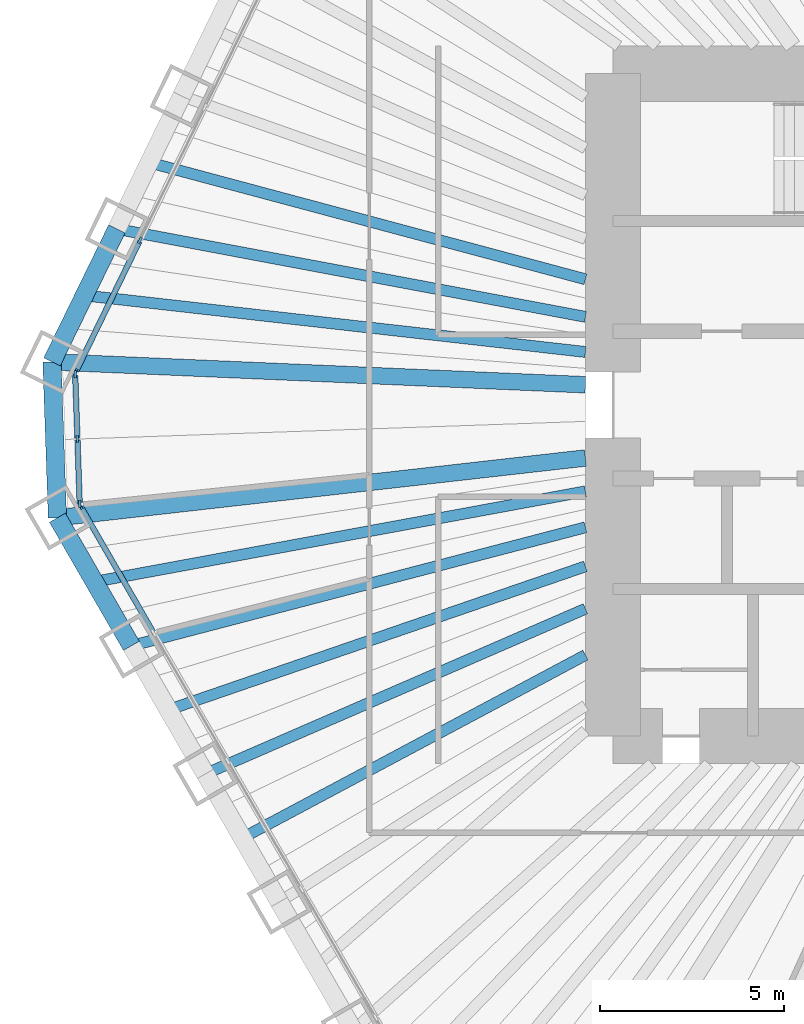
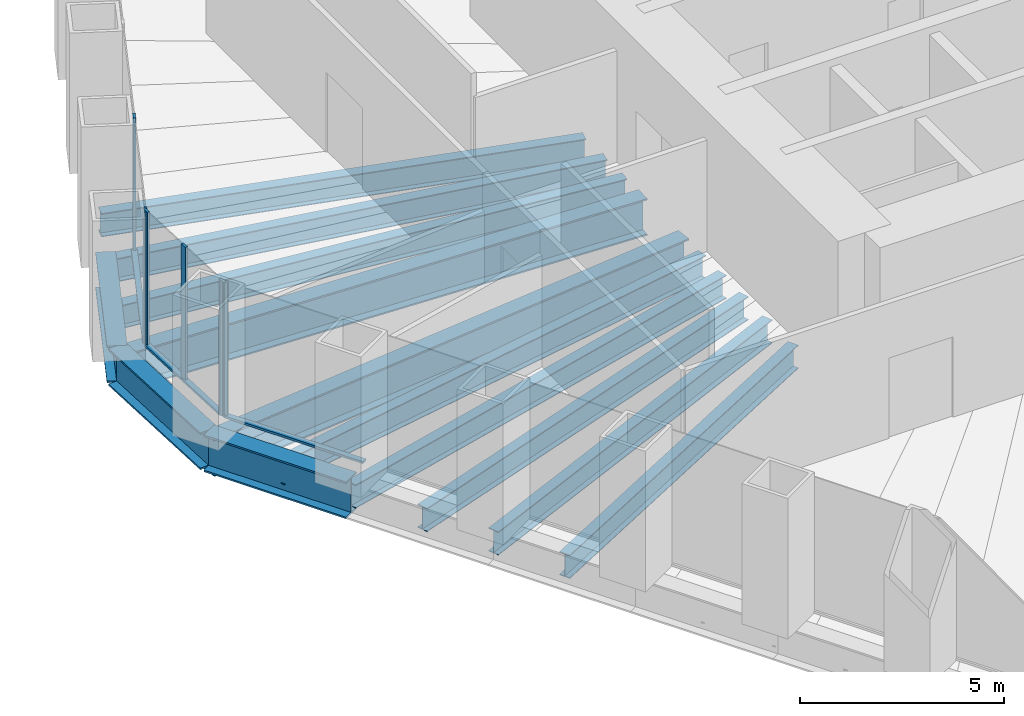
# One storey, part 3 of 13: 13 beams, 10 members, 3 elements without a shape of their own.
"""IFC4 building model written with IfcOpenShell, lengths in metres."""

from ifc_helpers import new_model, si_unit, direction, frame, origin, origin_2d, place, context, subcontext, project, spatial, rectangle, i_section, extrude, material, material_profile, profile_set, type_object, element, aggregate, save


model = new_model("IFC4")

# Units and contexts
model_context = context("Model", 3, precision=1e-05, world=origin(), true_north=direction((0.0, 1.0)))
body_context = subcontext(model_context, "Body", "Model", "MODEL_VIEW")
ifc_project = project(units=[si_unit("LENGTHUNIT", "METRE"), si_unit("AREAUNIT", "SQUARE_METRE"), si_unit("VOLUMEUNIT", "CUBIC_METRE"), si_unit("PLANEANGLEUNIT", "RADIAN"), si_unit("MASSUNIT", "GRAM", prefix="KILO")], contexts=[model_context])

# Site, building, storey
site_placement = place(None, origin())
site = spatial("IfcSite", under=ifc_project, at=site_placement, CompositionType="ELEMENT")
building_placement = place(site_placement, origin())
building = spatial("IfcBuilding", under=site, at=building_placement, Name="Qingtian Harvest Tower", CompositionType="ELEMENT")
storey_placement = place(building_placement, frame((0.0, 0.0, 119.800048828125)))
storey = spatial("IfcBuildingStorey", under=building, at=storey_placement, Name="L24", CompositionType="ELEMENT", Elevation=119.800048828125)

# Beams
ifc_material_1 = material(Name="Steel SM570MC", Category="steel")
ifc_material_profile_1 = material_profile(ifc_material_1, i_section(OverallWidth=0.449951171875, OverallDepth=1.10009765625, WebThickness=0.02197265625, FlangeThickness=0.044921875, at=origin_2d()), Name="H1100x450x22x45")
ifc_profile_set_1 = profile_set([ifc_material_profile_1], Name="Steel SM570MC")
beam_type_1 = type_object("IfcBeamType", Name="Corner floor beam FB8 H1100x450x22x45", PredefinedType="BEAM", material=ifc_profile_set_1)
beam_1_placement = place(storey_placement, frame((-27.096923828125, -3.066650390625, -0.719970703125), z_axis=(0.993656070393, 0.112461610213, 0.0), x_axis=(-0.112461610213, 0.993656070393, 0.0)))
element("IfcBeam", 1, at=beam_1_placement, inside=storey, type_object=beam_type_1, Name="Floor beam FB8 SW6", PredefinedType="BEAM", context=body_context, shape_type="SweptSolid", body=[
    extrude(i_section(OverallWidth=0.449951171875, OverallDepth=1.10009765625, WebThickness=0.02197265625, FlangeThickness=0.044921875, at=origin_2d()), origin(), (0.0, 0.0, 1.0), 14.4384765625),
])
beam_2_placement = place(storey_placement, frame((-27.244873046875, 1.1689453125, -0.719970703125), z_axis=(0.999081074678, -0.042860310542, 0.0), x_axis=(0.042860310542, 0.999081074678, 0.0)))
element("IfcBeam", 2, at=beam_2_placement, inside=storey, type_object=beam_type_1, Name="Floor beam FB8 NW0", PredefinedType="BEAM", context=body_context, shape_type="SweptSolid", body=[
    extrude(i_section(OverallWidth=0.449951171875, OverallDepth=1.10009765625, WebThickness=0.02197265625, FlangeThickness=0.044921875, at=origin_2d()), origin(), (0.0, 0.0, 1.0), 14.50830078125),
])
ifc_material_2 = material(Name="Steel SN490B", Category="steel")
ifc_material_profile_2 = material_profile(ifc_material_2, i_section(OverallWidth=0.300048828125, OverallDepth=0.699951171875, WebThickness=0.012939453125, FlangeThickness=0.02392578125, at=origin_2d()), Name="H700x300x13x24")
ifc_profile_set_2 = profile_set([ifc_material_profile_2], Name="Steel SN490B")
beam_type_2 = type_object("IfcBeamType", Name="Floor beam FB2 H700x300x13x24", PredefinedType="BEAM", material=ifc_profile_set_2)
beam_3_placement = place(storey_placement, frame((-23.077880859375, -10.02783203125, -0.52001953125), z_axis=(0.917154138631, 0.398532666154, 0.0), x_axis=(-0.398532666154, 0.917154138631, 0.0)))
element("IfcBeam", 3, at=beam_3_placement, inside=storey, type_object=beam_type_2, Name="Floor beam FB2 SW4", PredefinedType="BEAM", context=body_context, shape_type="SweptSolid", body=[
    extrude(i_section(OverallWidth=0.300048828125, OverallDepth=0.699951171875, WebThickness=0.012939453125, FlangeThickness=0.02392578125, at=origin_2d()), origin(), (0.0, 0.0, 1.0), 11.2607421875),
])
beam_4_placement = place(storey_placement, frame((-25.08740234375, -6.547119140625, -0.52001953125), z_axis=(0.967592867696, 0.252515429991, 0.0), x_axis=(-0.252515429991, 0.967592867696, 0.0)))
element("IfcBeam", 4, at=beam_4_placement, inside=storey, type_object=beam_type_2, Name="Floor beam FB2 SW5", PredefinedType="BEAM", context=body_context, shape_type="SweptSolid", body=[
    extrude(i_section(OverallWidth=0.300048828125, OverallDepth=0.699951171875, WebThickness=0.012939453125, FlangeThickness=0.02392578125, at=origin_2d()), origin(), (0.0, 0.0, 1.0), 12.750732421875),
])
beam_5_placement = place(storey_placement, frame((-25.483154296875, 4.78125, -0.52001953125), z_axis=(0.982851913913, -0.184396625015, 0.0), x_axis=(0.184396625015, 0.982851913913, 0.0)))
element("IfcBeam", 5, at=beam_5_placement, inside=storey, type_object=beam_type_2, Name="Floor beam FB2 NW1", PredefinedType="BEAM", context=body_context, shape_type="SweptSolid", body=[
    extrude(i_section(OverallWidth=0.300048828125, OverallDepth=0.699951171875, WebThickness=0.012939453125, FlangeThickness=0.02392578125, at=origin_2d()), origin(), (0.0, 0.0, 1.0), 12.955322265625),
])
ifc_material_3 = material(Name="Steel SN490B", Category="steel")
ifc_material_profile_3 = material_profile(ifc_material_3, i_section(OverallWidth=0.300048828125, OverallDepth=0.699951171875, WebThickness=0.012939453125, FlangeThickness=0.02392578125, at=origin_2d()), Name="H700x300x13x24")
ifc_profile_set_3 = profile_set([ifc_material_profile_3], Name="Steel SN490B")
beam_type_3 = type_object("IfcBeamType", Name="Floor joist J2 H700x300x13x24", PredefinedType="JOIST", material=ifc_profile_set_3)
beam_6_placement = place(storey_placement, frame((-22.0732421875, -11.76806640625, -0.52001953125), z_axis=(0.882429048443, 0.47044550637, 0.0), x_axis=(-0.47044550637, 0.882429048443, 0.0)))
element("IfcBeam", 6, at=beam_6_placement, inside=storey, type_object=beam_type_3, Name="Floor joist J2 SW3", PredefinedType="JOIST", context=body_context, shape_type="SweptSolid", body=[
    extrude(i_section(OverallWidth=0.300048828125, OverallDepth=0.699951171875, WebThickness=0.012939453125, FlangeThickness=0.02392578125, at=origin_2d()), origin(), (0.0, 0.0, 1.0), 10.5654296875),
])
beam_7_placement = place(storey_placement, frame((-24.082763671875, -8.28759765625, -0.52001953125), z_axis=(0.945577150072, 0.325397992099, 0.0), x_axis=(-0.325397992099, 0.945577150072, 0.0)))
element("IfcBeam", 7, at=beam_7_placement, inside=storey, type_object=beam_type_3, Name="Floor joist J2 SW4", PredefinedType="JOIST", context=body_context, shape_type="SweptSolid", body=[
    extrude(i_section(OverallWidth=0.300048828125, OverallDepth=0.699951171875, WebThickness=0.012939453125, FlangeThickness=0.02392578125, at=origin_2d()), origin(), (0.0, 0.0, 1.0), 11.985107421875),
])
beam_8_placement = place(storey_placement, frame((-26.09228515625, -4.806884765625, -0.52001953125), z_axis=(0.983450319804, 0.181178002192, 0.0), x_axis=(-0.181178002192, 0.983450319804, 0.0)))
element("IfcBeam", 8, at=beam_8_placement, inside=storey, type_object=beam_type_3, Name="Floor joist J2 SW5", PredefinedType="JOIST", context=body_context, shape_type="SweptSolid", body=[
    extrude(i_section(OverallWidth=0.300048828125, OverallDepth=0.699951171875, WebThickness=0.012939453125, FlangeThickness=0.02392578125, at=origin_2d()), origin(), (0.0, 0.0, 1.0), 13.56689453125),
])
beam_9_placement = place(storey_placement, frame((-26.364013671875, 2.97509765625, -0.52001953125), z_axis=(0.993692330348, -0.112140771387, 0.0), x_axis=(0.112140771387, 0.993692330348, 0.0)))
element("IfcBeam", 9, at=beam_9_placement, inside=storey, type_object=beam_type_3, Name="Floor joist J2 NW0", PredefinedType="JOIST", context=body_context, shape_type="SweptSolid", body=[
    extrude(i_section(OverallWidth=0.300048828125, OverallDepth=0.699951171875, WebThickness=0.012939453125, FlangeThickness=0.02392578125, at=origin_2d()), origin(), (0.0, 0.0, 1.0), 13.700439453125),
])
beam_10_placement = place(storey_placement, frame((-24.60205078125, 6.58740234375, -0.52001953125), z_axis=(0.965969893862, -0.258654526641, 0.0), x_axis=(0.258654526641, 0.965969893862, 0.0)))
element("IfcBeam", 10, at=beam_10_placement, inside=storey, type_object=beam_type_3, Name="Floor joist J2 NW1", PredefinedType="JOIST", context=body_context, shape_type="SweptSolid", body=[
    extrude(i_section(OverallWidth=0.300048828125, OverallDepth=0.699951171875, WebThickness=0.012939453125, FlangeThickness=0.02392578125, at=origin_2d()), origin(), (0.0, 0.0, 1.0), 12.26953125),
])

# Curtain wall, member
ifc_material_4 = material(Name="Bronze-anodised aluminium curtain wall", Category="aluminium")
curtain_wall_type = type_object("IfcCurtainWallType", Name="Curtain wall CW4 office", PredefinedType="USERDEFINED", material=ifc_material_4)
curtain_wall_1_placement = place(storey_placement, origin())
curtain_wall_1 = element("IfcCurtainWall", 11, at=curtain_wall_1_placement, inside=storey, type_object=curtain_wall_type, Name="Curtain wall CW4 L24 SW0-5", ObjectType="RECESSED CURTAIN WALL", PredefinedType="USERDEFINED")
ifc_material_5 = material(Name="Bronze-anodised aluminium mullion", Category="aluminium")
ifc_material_profile_4 = material_profile(ifc_material_5, rectangle(XDim=0.06494140625, YDim=0.199951171875, at=origin_2d()), Name="AL 65x200")
ifc_profile_set_4 = profile_set([ifc_material_profile_4], Name="Bronze-anodised aluminium mullion")
member_type_1 = type_object("IfcMemberType", Name="Mullion CWM 65x200", PredefinedType="MULLION", material=ifc_profile_set_4)
member_1_placement = place(storey_placement, frame((-26.474609375, -2.744873046875, 0.0), z_axis=(0.0, 0.0, 1.0), x_axis=(-0.866025403784, -0.5, 0.0)))
member_1 = element("IfcMember", 12, at=member_1_placement, type_object=member_type_1, Name="CW4 mullion 7", PredefinedType="MULLION", context=body_context, shape_type="SweptSolid", body=[
    extrude(rectangle(XDim=0.06494140625, YDim=0.199951171875, at=origin_2d()), origin(), (0.0, 0.0, 1.0), 4.030029296875),
])

# Curtain wall, members
curtain_wall_2_placement = place(storey_placement, origin())
curtain_wall_2 = element("IfcCurtainWall", 13, at=curtain_wall_2_placement, inside=storey, type_object=curtain_wall_type, Name="Curtain wall CW4 L24 SWC", ObjectType="RECESSED CURTAIN WALL", PredefinedType="USERDEFINED")
member_2_placement = place(storey_placement, frame((-26.491943359375, -2.68408203125, 0.0), z_axis=(0.0, 0.0, 1.0), x_axis=(-0.999390827019, -0.034899496703, 0.0)))
member_2 = element("IfcMember", 14, at=member_2_placement, type_object=member_type_1, Name="CW4 mullion 1", PredefinedType="MULLION", context=body_context, shape_type="SweptSolid", body=[
    extrude(rectangle(XDim=0.06494140625, YDim=0.199951171875, at=origin_2d()), origin(), (0.0, 0.0, 1.0), 4.030029296875),
])
member_3_placement = place(storey_placement, frame((-26.55322265625, -0.92724609375, 0.0), z_axis=(0.0, 0.0, 1.0), x_axis=(-0.999390827019, -0.034899496703, 0.0)))
member_3 = element("IfcMember", 15, at=member_3_placement, type_object=member_type_1, Name="CW4 mullion 2", PredefinedType="MULLION", context=body_context, shape_type="SweptSolid", body=[
    extrude(rectangle(XDim=0.06494140625, YDim=0.199951171875, at=origin_2d()), origin(), (0.0, 0.0, 1.0), 4.030029296875),
])
member_4_placement = place(storey_placement, frame((-26.614501953125, 0.82958984375, 0.0), z_axis=(0.0, 0.0, 1.0), x_axis=(-0.999390827019, -0.034899496703, 0.0)))
member_4 = element("IfcMember", 16, at=member_4_placement, type_object=member_type_1, Name="CW4 mullion 3", PredefinedType="MULLION", context=body_context, shape_type="SweptSolid", body=[
    extrude(rectangle(XDim=0.06494140625, YDim=0.199951171875, at=origin_2d()), origin(), (0.0, 0.0, 1.0), 4.030029296875),
])

curtain_wall_3_placement = place(storey_placement, origin())
curtain_wall_3 = element("IfcCurtainWall", 17, at=curtain_wall_3_placement, inside=storey, type_object=curtain_wall_type, Name="Curtain wall CW4 L24 NW0-5", ObjectType="RECESSED CURTAIN WALL", PredefinedType="USERDEFINED")
member_5_placement = place(storey_placement, frame((-26.6015625, 0.891357421875, 0.0), z_axis=(0.0, 0.0, 1.0), x_axis=(-0.898794046299, 0.438371146789, 0.0)))
member_5 = element("IfcMember", 18, at=member_5_placement, type_object=member_type_1, Name="CW4 mullion 1", PredefinedType="MULLION", context=body_context, shape_type="SweptSolid", body=[
    extrude(rectangle(XDim=0.06494140625, YDim=0.199951171875, at=origin_2d()), origin(), (0.0, 0.0, 1.0), 4.030029296875),
])
member_6_placement = place(storey_placement, frame((-24.85400390625, 4.474365234375, 0.0), z_axis=(0.0, 0.0, 1.0), x_axis=(-0.898794046299, 0.438371146789, 0.0)))
member_6 = element("IfcMember", 19, at=member_6_placement, type_object=member_type_1, Name="CW4 mullion 2", PredefinedType="MULLION", context=body_context, shape_type="SweptSolid", body=[
    extrude(rectangle(XDim=0.06494140625, YDim=0.199951171875, at=origin_2d()), origin(), (0.0, 0.0, 1.0), 4.030029296875),
])

# Beams
ifc_material_6 = material(Name="Steel SM570MC", Category="steel")
ifc_material_profile_5 = material_profile(ifc_material_6, i_section(OverallWidth=0.5, OverallDepth=1.10009765625, WebThickness=0.02490234375, FlangeThickness=0.050048828125, at=origin_2d()), Name="H1100x500x25x50")
ifc_profile_set_5 = profile_set([ifc_material_profile_5], Name="Steel SM570MC")
beam_type_4 = type_object("IfcBeamType", Name="Spandrel beam SB2 H1100x500x25x50", PredefinedType="SPANDREL", material=ifc_profile_set_5)
beam_11_placement = place(storey_placement, frame((-25.08740234375, -6.547119140625, -0.550048828125), z_axis=(-0.500013420409, 0.866017655369, 0.0), x_axis=(-0.866017655369, -0.500013420409, 0.0)))
element("IfcBeam", 20, at=beam_11_placement, inside=storey, type_object=beam_type_4, Name="Spandrel SB2 SW5", PredefinedType="SPANDREL", context=body_context, shape_type="SweptSolid", body=[
    extrude(i_section(OverallWidth=0.5, OverallDepth=1.10009765625, WebThickness=0.02490234375, FlangeThickness=0.050048828125, at=origin_2d()), origin(), (0.0, 0.0, 1.0), 4.01904296875),
])
beam_12_placement = place(storey_placement, frame((-27.096923828125, -3.066650390625, -0.550048828125), z_axis=(-0.034908677553, 0.999390506375, 0.0), x_axis=(-0.999390506375, -0.034908677553, 0.0)))
element("IfcBeam", 21, at=beam_12_placement, inside=storey, type_object=beam_type_4, Name="Spandrel SB2 SWC", PredefinedType="SPANDREL", context=body_context, shape_type="SweptSolid", body=[
    extrude(i_section(OverallWidth=0.5, OverallDepth=1.10009765625, WebThickness=0.02490234375, FlangeThickness=0.050048828125, at=origin_2d()), origin(), (0.0, 0.0, 1.0), 4.23828125),
])
beam_13_placement = place(storey_placement, frame((-27.244873046875, 1.1689453125, -0.550048828125), z_axis=(0.438347033158, 0.898805806902, 0.0), x_axis=(-0.898805806902, 0.438347033158, 0.0)))
element("IfcBeam", 22, at=beam_13_placement, inside=storey, type_object=beam_type_4, Name="Spandrel SB2 NW0", PredefinedType="SPANDREL", context=body_context, shape_type="SweptSolid", body=[
    extrude(i_section(OverallWidth=0.5, OverallDepth=1.10009765625, WebThickness=0.02490234375, FlangeThickness=0.050048828125, at=origin_2d()), origin(), (0.0, 0.0, 1.0), 4.01904296875),
])

# Member
ifc_material_7 = material(Name="Bronze-anodised aluminium transom", Category="aluminium")
ifc_material_profile_6 = material_profile(ifc_material_7, rectangle(XDim=0.14990234375, YDim=0.06494140625, at=origin_2d()), Name="AL 65x150")
ifc_profile_set_6 = profile_set([ifc_material_profile_6], Name="Bronze-anodised aluminium transom")
member_type_2 = type_object("IfcMemberType", Name="Transom CWT 65x150", PredefinedType="USERDEFINED", material=ifc_profile_set_6)
member_7_placement = place(storey_placement, frame((-24.49755859375, -6.169189453125, 0.032470703125), z_axis=(-0.499975738995, 0.866039410429, 0.0), x_axis=(-0.866039410429, -0.499975738995, 0.0)))
member_7 = element("IfcMember", 23, at=member_7_placement, type_object=member_type_2, Name="CW4 transom 6.1", ObjectType="TRANSOM", PredefinedType="USERDEFINED", context=body_context, shape_type="SweptSolid", body=[
    extrude(rectangle(XDim=0.14990234375, YDim=0.06494140625, at=origin_2d()), origin(), (0.0, 0.0, 1.0), 3.921630859375),
])

aggregate(curtain_wall_1, [member_1, member_7])

member_8_placement = place(storey_placement, frame((-26.4931640625, -2.651611328125, 0.032470703125), z_axis=(-0.034899362377, 0.99939083171, 0.0), x_axis=(-0.99939083171, -0.034899362377, 0.0)))
member_8 = element("IfcMember", 24, at=member_8_placement, type_object=member_type_2, Name="CW4 transom 1.1", ObjectType="TRANSOM", PredefinedType="USERDEFINED", context=body_context, shape_type="SweptSolid", body=[
    extrude(rectangle(XDim=0.14990234375, YDim=0.06494140625, at=origin_2d()), origin(), (0.0, 0.0, 1.0), 1.69287109375),
])

member_9_placement = place(storey_placement, frame((-26.554443359375, -0.894775390625, 0.032470703125), z_axis=(-0.034899362377, 0.99939083171, 0.0), x_axis=(-0.99939083171, -0.034899362377, 0.0)))
member_9 = element("IfcMember", 25, at=member_9_placement, type_object=member_type_2, Name="CW4 transom 2.1", ObjectType="TRANSOM", PredefinedType="USERDEFINED", context=body_context, shape_type="SweptSolid", body=[
    extrude(rectangle(XDim=0.14990234375, YDim=0.06494140625, at=origin_2d()), origin(), (0.0, 0.0, 1.0), 1.69287109375),
])

aggregate(curtain_wall_2, [member_2, member_3, member_4, member_8, member_9])

member_10_placement = place(storey_placement, frame((-26.587158203125, 0.92041015625, 0.032470703125), z_axis=(0.438326734225, 0.898815706396, 0.0), x_axis=(-0.898815706396, 0.438326734225, 0.0)))
member_10 = element("IfcMember", 26, at=member_10_placement, type_object=member_type_2, Name="CW4 transom 1.1", ObjectType="TRANSOM", PredefinedType="USERDEFINED", context=body_context, shape_type="SweptSolid", body=[
    extrude(rectangle(XDim=0.14990234375, YDim=0.06494140625, at=origin_2d()), origin(), (0.0, 0.0, 1.0), 3.921630859375),
])

aggregate(curtain_wall_3, [member_5, member_6, member_10])

save(model, "model.ifc")
